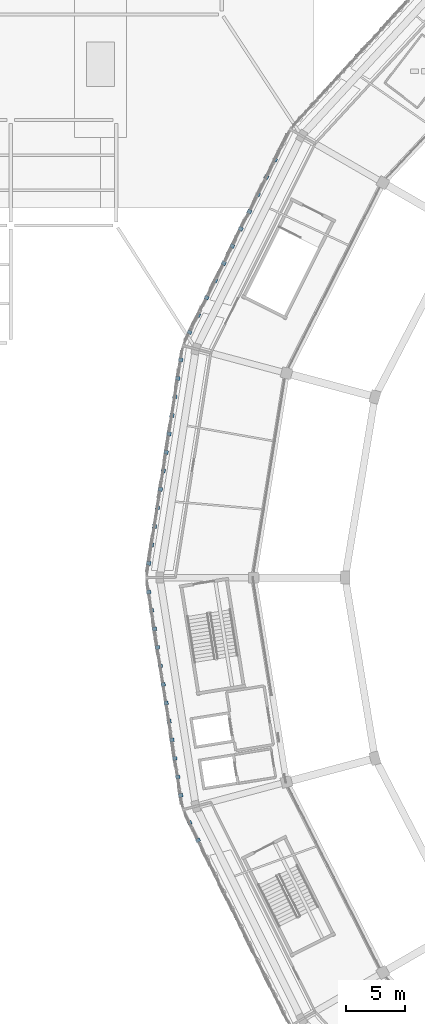
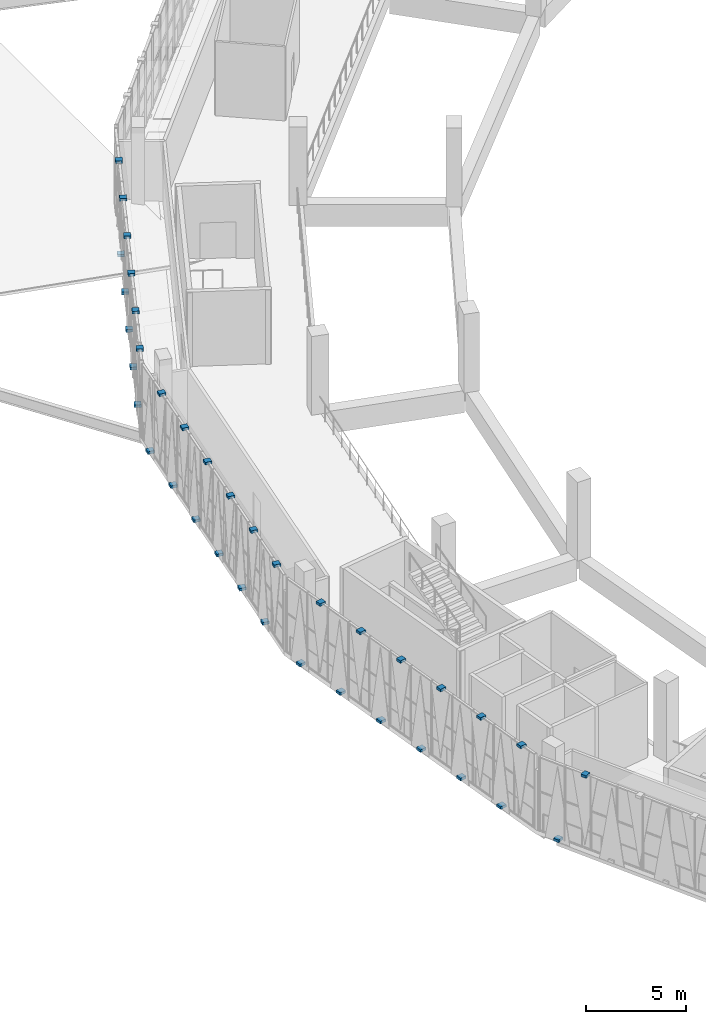
# One storey, part 77 of 108: 37 discrete accessories.
"""IFC4 building model written with IfcOpenShell, lengths in metres."""

from ifc_helpers import new_model, si_unit, direction, frame, origin, origin_2d, place, context, subcontext, project, spatial, rectangle, extrude, material, layer, layer_set, type_object, element, save


model = new_model("IFC4")

# Units and contexts
model_context = context("Model", 3, precision=1e-05, world=origin(), true_north=direction((0.0, 1.0)))
body_context = subcontext(model_context, "Body", "Model", "MODEL_VIEW")
ifc_project = project(units=[si_unit("LENGTHUNIT", "METRE"), si_unit("AREAUNIT", "SQUARE_METRE"), si_unit("VOLUMEUNIT", "CUBIC_METRE"), si_unit("PLANEANGLEUNIT", "RADIAN"), si_unit("MASSUNIT", "GRAM", prefix="KILO")], contexts=[model_context])

# Site, building, storey
site_placement = place(None, origin())
site = spatial("IfcSite", under=ifc_project, at=site_placement, CompositionType="ELEMENT")
building_placement = place(site_placement, origin())
building = spatial("IfcBuilding", under=site, at=building_placement, Name="Zevraka Park Crest Stadium", CompositionType="ELEMENT")
storey_placement = place(building_placement, frame((0.0, 0.0, 19.800048828125)))
storey = spatial("IfcBuildingStorey", under=building, at=storey_placement, Name="L04", CompositionType="ELEMENT", Elevation=19.800048828125)

# Discrete accessories
ifc_material = material(Name="Galvanised steel bracketry", Category="steel")
ifc_layer = layer(ifc_material, 0.1201171875)
ifc_layer_set = layer_set([ifc_layer], Name="Galvanised steel bracketry")
discrete_accessory_type = type_object("IfcDiscreteAccessoryType", Name="BRK01", PredefinedType="BRACKET", material=ifc_layer_set)
for number, where, z_axis, x_axis, name in (
    (1, (31.52099609375, 127.614013671875, 4.39990234375), (0.0, 0.0, 1.0), (-0.444009746106, -0.896021955849, 0.0), "Bronze Screen Carrier Bracket BRK01 L04-10-2"),
    (2, (30.7919921875, 126.14404296875, -0.16015625), (0.0, 0.0, 1.0), (-0.444009746106, -0.896021955849, 0.0), "Bronze Screen Carrier Bracket BRK01 L04-10-3"),
    (3, (30.06396484375, 124.674072265625, 4.39990234375), (0.0, 0.0, 1.0), (-0.444009746106, -0.896021955849, 0.0), "Bronze Screen Carrier Bracket BRK01 L04-10-4"),
    (4, (29.3349609375, 123.202880859375, -0.16015625), (0.0, 0.0, 1.0), (-0.444009746106, -0.896021955849, 0.0), "Bronze Screen Carrier Bracket BRK01 L04-10-5"),
    (5, (28.60693359375, 121.73291015625, 4.39990234375), (0.0, 0.0, 1.0), (-0.444009746106, -0.896021955849, 0.0), "Bronze Screen Carrier Bracket BRK01 L04-10-6"),
    (6, (27.8779296875, 120.262939453125, -0.16015625), (0.0, 0.0, 1.0), (-0.444009746106, -0.896021955849, 0.0), "Bronze Screen Carrier Bracket BRK01 L04-10-7"),
    (7, (27.14990234375, 118.79296875, 4.39990234375), (0.0, 0.0, 1.0), (-0.444009746106, -0.896021955849, 0.0), "Bronze Screen Carrier Bracket BRK01 L04-10-8"),
    (8, (26.4208984375, 117.322021484375, -0.16015625), (0.0, 0.0, 1.0), (-0.444009746106, -0.896021955849, 0.0), "Bronze Screen Carrier Bracket BRK01 L04-10-9"),
    (9, (25.693115234375, 115.85205078125, 4.39990234375), (0.0, 0.0, 1.0), (-0.444009746106, -0.896021955849, 0.0), "Bronze Screen Carrier Bracket BRK01 L04-10-10"),
    (10, (24.964111328125, 114.382080078125, -0.16015625), (0.0, 0.0, 1.0), (-0.444009746106, -0.896021955849, 0.0), "Bronze Screen Carrier Bracket BRK01 L04-10-11"),
    (11, (24.236083984375, 112.910888671875, 4.39990234375), (0.0, 0.0, 1.0), (-0.444009746106, -0.896021955849, 0.0), "Bronze Screen Carrier Bracket BRK01 L04-10-12"),
    (12, (23.48291015625, 110.55908203125, -0.16015625), (0.0, 0.0, 1.0), (-0.155572484907, -0.987824479318, 0.0), "Bronze Screen Carrier Bracket BRK01 L04-11-1"),
    (13, (23.235107421875, 108.98291015625, 4.39990234375), (0.0, 0.0, 1.0), (-0.155572484907, -0.987824479318, 0.0), "Bronze Screen Carrier Bracket BRK01 L04-11-2"),
    (14, (22.987060546875, 107.406982421875, -0.16015625), (0.0, 0.0, 1.0), (-0.155572484907, -0.987824479318, 0.0), "Bronze Screen Carrier Bracket BRK01 L04-11-3"),
    (15, (22.738037109375, 105.8310546875, 4.39990234375), (0.0, 0.0, 1.0), (-0.155572484907, -0.987824479318, 0.0), "Bronze Screen Carrier Bracket BRK01 L04-11-4"),
    (16, (22.489990234375, 104.2548828125, -0.16015625), (0.0, 0.0, 1.0), (-0.155572484907, -0.987824479318, 0.0), "Bronze Screen Carrier Bracket BRK01 L04-11-5"),
    (17, (22.241943359375, 102.678955078125, 4.39990234375), (0.0, 0.0, 1.0), (-0.155572484907, -0.987824479318, 0.0), "Bronze Screen Carrier Bracket BRK01 L04-11-6"),
    (18, (21.993896484375, 101.10302734375, -0.16015625), (0.0, 0.0, 1.0), (-0.155572484907, -0.987824479318, 0.0), "Bronze Screen Carrier Bracket BRK01 L04-11-7"),
    (19, (21.74609375, 99.527099609375, 4.39990234375), (0.0, 0.0, 1.0), (-0.155572484907, -0.987824479318, 0.0), "Bronze Screen Carrier Bracket BRK01 L04-11-8"),
    (20, (21.498046875, 97.950927734375, -0.16015625), (0.0, 0.0, 1.0), (-0.155572484907, -0.987824479318, 0.0), "Bronze Screen Carrier Bracket BRK01 L04-11-9"),
    (21, (21.2490234375, 96.375, 4.39990234375), (0.0, 0.0, 1.0), (-0.155572484907, -0.987824479318, 0.0), "Bronze Screen Carrier Bracket BRK01 L04-11-10"),
    (22, (21.0009765625, 94.799072265625, -0.16015625), (0.0, 0.0, 1.0), (-0.155572484907, -0.987824479318, 0.0), "Bronze Screen Carrier Bracket BRK01 L04-11-11"),
    (23, (20.7529296875, 93.222900390625, 4.39990234375), (0.0, 0.0, 1.0), (-0.155572484907, -0.987824479318, 0.0), "Bronze Screen Carrier Bracket BRK01 L04-11-12"),
    (24, (20.7529296875, 90.777099609375, -0.16015625), (0.0, 0.0, 1.0), (0.155572484907, -0.987824479318, 0.0), "Bronze Screen Carrier Bracket BRK01 L04-12-1"),
    (25, (21.0009765625, 89.200927734375, 4.39990234375), (0.0, 0.0, 1.0), (0.155572484907, -0.987824479318, 0.0), "Bronze Screen Carrier Bracket BRK01 L04-12-2"),
    (26, (21.2490234375, 87.625, -0.16015625), (0.0, 0.0, 1.0), (0.155572484907, -0.987824479318, 0.0), "Bronze Screen Carrier Bracket BRK01 L04-12-3"),
    (27, (21.498046875, 86.049072265625, 4.39990234375), (0.0, 0.0, 1.0), (0.155572484907, -0.987824479318, 0.0), "Bronze Screen Carrier Bracket BRK01 L04-12-4"),
    (28, (21.74609375, 84.472900390625, -0.16015625), (0.0, 0.0, 1.0), (0.155572484907, -0.987824479318, 0.0), "Bronze Screen Carrier Bracket BRK01 L04-12-5"),
    (29, (21.993896484375, 82.89697265625, 4.39990234375), (0.0, 0.0, 1.0), (0.155572484907, -0.987824479318, 0.0), "Bronze Screen Carrier Bracket BRK01 L04-12-6"),
    (30, (22.241943359375, 81.321044921875, -0.16015625), (0.0, 0.0, 1.0), (0.155572484907, -0.987824479318, 0.0), "Bronze Screen Carrier Bracket BRK01 L04-12-7"),
    (31, (22.489990234375, 79.7451171875, 4.39990234375), (0.0, 0.0, 1.0), (0.155572484907, -0.987824479318, 0.0), "Bronze Screen Carrier Bracket BRK01 L04-12-8"),
    (32, (22.738037109375, 78.1689453125, -0.16015625), (0.0, 0.0, 1.0), (0.155572484907, -0.987824479318, 0.0), "Bronze Screen Carrier Bracket BRK01 L04-12-9"),
    (33, (22.987060546875, 76.593017578125, 4.39990234375), (0.0, 0.0, 1.0), (0.155572484907, -0.987824479318, 0.0), "Bronze Screen Carrier Bracket BRK01 L04-12-10"),
    (34, (23.235107421875, 75.01708984375, -0.16015625), (0.0, 0.0, 1.0), (0.155572484907, -0.987824479318, 0.0), "Bronze Screen Carrier Bracket BRK01 L04-12-11"),
    (35, (23.48291015625, 73.44091796875, 4.39990234375), (0.0, 0.0, 1.0), (0.155572484907, -0.987824479318, 0.0), "Bronze Screen Carrier Bracket BRK01 L04-12-12"),
    (36, (24.236083984375, 71.089111328125, -0.16015625), (0.0, 0.0, 1.0), (0.444009746106, -0.896021955849, 0.0), "Bronze Screen Carrier Bracket BRK01 L04-13-1"),
    (37, (24.964111328125, 69.617919921875, 4.39990234375), (0.0, 0.0, 1.0), (0.444009746106, -0.896021955849, 0.0), "Bronze Screen Carrier Bracket BRK01 L04-13-2"),
):
    element("IfcDiscreteAccessory", number, at=place(storey_placement, frame(where, z_axis=z_axis, x_axis=x_axis)), inside=storey, type_object=discrete_accessory_type, Name=name, PredefinedType="BRACKET", context=body_context, shape_type="SweptSolid", body=[
        extrude(rectangle(XDim=0.320068359375, YDim=0.360107421875, at=origin_2d()), origin(), (0.0, 0.0, 1.0), 0.159912109375),
    ])

save(model, "model.ifc")
